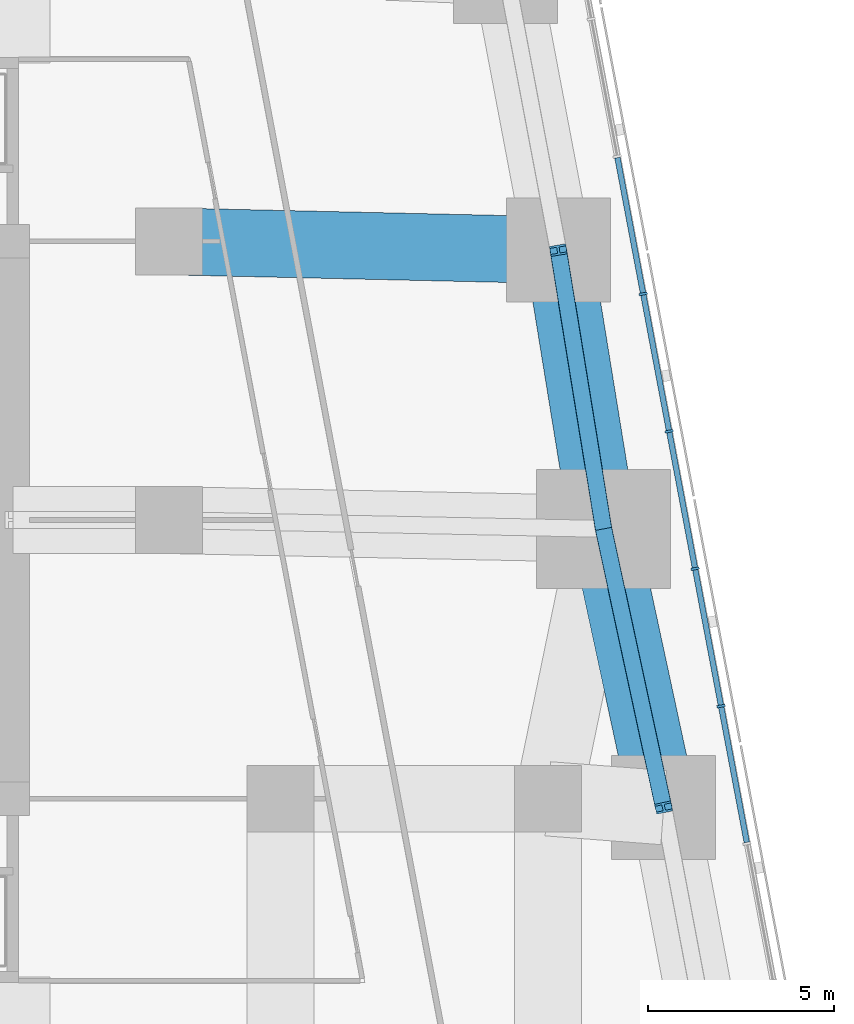
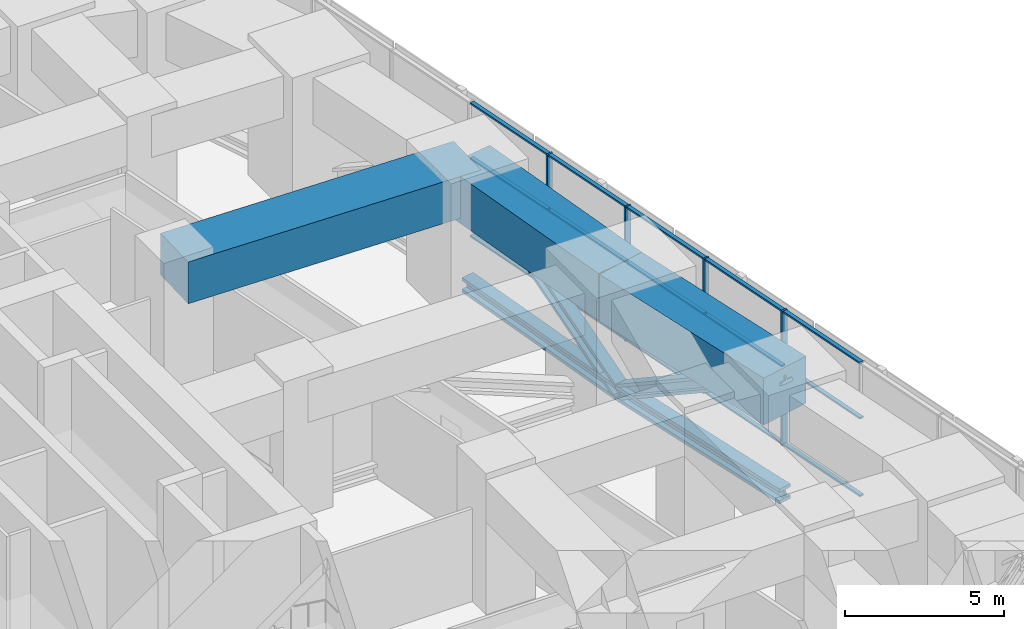
# One storey, part 6 of 20: 23 members, 3 beams, 1 element without a shape of its own.
"""IFC4 building model written with IfcOpenShell, lengths in metres."""

from ifc_helpers import new_model, si_unit, direction, frame, origin, origin_2d, place, context, subcontext, project, spatial, rectangle, i_section, extrude, material, material_profile, profile_set, type_object, element, aggregate, save


model = new_model("IFC4")

# Units and contexts
model_context = context("Model", 3, precision=1e-05, world=origin(), true_north=direction((0.0, 1.0)))
body_context = subcontext(model_context, "Body", "Model", "MODEL_VIEW")
ifc_project = project(units=[si_unit("LENGTHUNIT", "METRE"), si_unit("AREAUNIT", "SQUARE_METRE"), si_unit("VOLUMEUNIT", "CUBIC_METRE"), si_unit("PLANEANGLEUNIT", "RADIAN"), si_unit("MASSUNIT", "GRAM", prefix="KILO")], contexts=[model_context])

# Site, building, storey
site_placement = place(None, origin())
site = spatial("IfcSite", under=ifc_project, at=site_placement, CompositionType="ELEMENT")
building_placement = place(site_placement, origin())
building = spatial("IfcBuilding", under=site, at=building_placement, Name="Sheger Commons Tower", CompositionType="ELEMENT")
storey_placement = place(building_placement, frame((0.0, 0.0, 72.5)))
storey = spatial("IfcBuildingStorey", under=building, at=storey_placement, Name="L18", CompositionType="ELEMENT", Elevation=72.5)

# Beam
ifc_material_1 = material(Name="Concrete C50/60", Category="concrete")
ifc_material_profile_1 = material_profile(ifc_material_1, rectangle(XDim=1.800048828125, YDim=1.60009765625, at=origin_2d()), Name="RC 1800x1600")
ifc_profile_set_1 = profile_set([ifc_material_profile_1], Name="Concrete C50/60")
beam_type_1 = type_object("IfcBeamType", Name="BEAM RC 1800x1600", PredefinedType="BEAM", material=ifc_profile_set_1)
beam_1_placement = place(storey_placement, frame((33.0, 30.0, 4.35009765625), z_axis=(0.999744258625, -0.022614538395, 0.0), x_axis=(0.022614538395, 0.999744258625, 0.0)))
element("IfcBeam", 1, at=beam_1_placement, inside=storey, type_object=beam_type_1, Name="Beam 6-3000/E-E/E under L19", PredefinedType="BEAM", context=body_context, shape_type="SweptSolid", body=[
    extrude(rectangle(XDim=1.800048828125, YDim=1.60009765625, at=origin_2d()), origin(), (0.0, 0.0, 1.0), 10.482666015625),
])

# Members
ifc_material_2 = material(Name="Steel S460", Category="steel")
ifc_material_profile_2 = material_profile(ifc_material_2, i_section(OverallWidth=0.44189453125, OverallDepth=0.531005859375, WebThickness=0.06591796875, FlangeThickness=0.10595703125, at=origin_2d()), Name="HD 400x900")
ifc_profile_set_2 = profile_set([ifc_material_profile_2], Name="Steel S460")
member_type_1 = type_object("IfcMemberType", Name="BRACE HD 400x900", PredefinedType="BRACE", material=ifc_profile_set_2)
member_1_placement = place(storey_placement, frame((44.697021484375, 22.262939453125, 0.300048828125), z_axis=(0.181270480805, -0.840801626201, 0.510091793864), x_axis=(0.977539943348, 0.210750229323, 0.0)))
element("IfcMember", 2, at=member_1_placement, inside=storey, type_object=member_type_1, Name="Belt truss diagonal 46.314,14.763-44.697,22.263", PredefinedType="BRACE", context=body_context, shape_type="SweptSolid", body=[
    extrude(i_section(OverallWidth=0.44189453125, OverallDepth=0.531005859375, WebThickness=0.06591796875, FlangeThickness=0.10595703125, at=origin_2d()), origin(), (0.0, 0.0, 1.0), 8.920166015625),
])
member_2_placement = place(storey_placement, frame((44.697021484375, 22.262939453125, 0.300048828125), z_axis=(-0.137420860624, 0.846854330663, 0.51376380731), x_axis=(-0.987088319884, -0.160176929512, 0.0)))
element("IfcMember", 3, at=member_2_placement, inside=storey, type_object=member_type_1, Name="Belt truss diagonal 44.697,22.263-43.480,29.763", PredefinedType="BRACE", context=body_context, shape_type="SweptSolid", body=[
    extrude(i_section(OverallWidth=0.44189453125, OverallDepth=0.531005859375, WebThickness=0.06591796875, FlangeThickness=0.10595703125, at=origin_2d()), origin(), (0.0, 0.0, 1.0), 8.856201171875),
])
ifc_material_3 = material(Name="Steel S460", Category="steel")
ifc_material_profile_3 = material_profile(ifc_material_3, i_section(OverallWidth=0.4541015625, OverallDepth=0.569091796875, WebThickness=0.077880859375, FlangeThickness=0.125, at=origin_2d()), Name="HD 400x1086")
ifc_profile_set_3 = profile_set([ifc_material_profile_3], Name="Steel S460")
member_type_2 = type_object("IfcMemberType", Name="CHORD HD 400x1086", PredefinedType="CHORD", material=ifc_profile_set_3)
member_3_placement = place(storey_placement, frame((46.31396484375, 14.762939453125, 0.300048828125), z_axis=(-0.210750229323, 0.977539943348, 0.0), x_axis=(-0.977539943348, -0.210750229323, 0.0)))
element("IfcMember", 4, at=member_3_placement, inside=storey, type_object=member_type_2, Name="Belt truss bottom chord 46.314,14.763-44.697,22.263", PredefinedType="CHORD", context=body_context, shape_type="SweptSolid", body=[
    extrude(i_section(OverallWidth=0.4541015625, OverallDepth=0.569091796875, WebThickness=0.077880859375, FlangeThickness=0.125, at=origin_2d()), origin(), (0.0, 0.0, 1.0), 7.67236328125),
])
member_4_placement = place(storey_placement, frame((44.697021484375, 22.262939453125, 0.300048828125), z_axis=(-0.160176929512, 0.987088319884, 0.0), x_axis=(-0.987088319884, -0.160176929512, 0.0)))
element("IfcMember", 5, at=member_4_placement, inside=storey, type_object=member_type_2, Name="Belt truss bottom chord 44.697,22.263-43.480,29.763", PredefinedType="CHORD", context=body_context, shape_type="SweptSolid", body=[
    extrude(i_section(OverallWidth=0.4541015625, OverallDepth=0.569091796875, WebThickness=0.077880859375, FlangeThickness=0.125, at=origin_2d()), origin(), (0.0, 0.0, 1.0), 7.59814453125),
])

# Curtain wall, members
ifc_material_4 = material(Name="Black aluminium curtain wall, dark tinted glazing", Category="aluminium")
curtain_wall_type = type_object("IfcCurtainWallType", Name="CURTAIN WALL CW3 SKY FLOOR", PredefinedType="USERDEFINED", material=ifc_material_4)
curtain_wall_placement = place(storey_placement, origin())
curtain_wall = element("IfcCurtainWall", 6, at=curtain_wall_placement, inside=storey, type_object=curtain_wall_type, Name="Curtain Wall Cw3 Sky Floor E1 L18", ObjectType="UNITISED CURTAIN WALL", PredefinedType="USERDEFINED")
ifc_material_5 = material(Name="Black anodised aluminium", Category="aluminium")
ifc_material_profile_4 = material_profile(ifc_material_5, rectangle(XDim=0.22509765625, YDim=0.06494140625, at=origin_2d()), Name="AL 65x225")
ifc_profile_set_4 = profile_set([ifc_material_profile_4], Name="Black anodised aluminium")
member_type_3 = type_object("IfcMemberType", Name="MULLION AL 65x225", PredefinedType="MULLION", material=ifc_profile_set_4)
member_5_placement = place(storey_placement, frame((47.859130859375, 17.49365234375, 0.0), z_axis=(0.0, 0.0, 1.0), x_axis=(-0.982623514181, -0.185609884918, 0.0)))
member_5 = element("IfcMember", 7, at=member_5_placement, type_object=member_type_3, Name="CW3 mullion 5", PredefinedType="MULLION", context=body_context, shape_type="SweptSolid", body=[
    extrude(rectangle(XDim=0.22509765625, YDim=0.06494140625, at=origin_2d()), origin(), (0.0, 0.0, 1.0), 5.14990234375),
])
member_6_placement = place(storey_placement, frame((47.16064453125, 21.191162109375, 0.0), z_axis=(0.0, 0.0, 1.0), x_axis=(-0.982623514181, -0.185609884918, 0.0)))
member_6 = element("IfcMember", 8, at=member_6_placement, type_object=member_type_3, Name="CW3 mullion 6", PredefinedType="MULLION", context=body_context, shape_type="SweptSolid", body=[
    extrude(rectangle(XDim=0.22509765625, YDim=0.06494140625, at=origin_2d()), origin(), (0.0, 0.0, 1.0), 5.14990234375),
])
member_7_placement = place(storey_placement, frame((46.462158203125, 24.888916015625, 0.0), z_axis=(0.0, 0.0, 1.0), x_axis=(-0.982623514181, -0.185609884918, 0.0)))
member_7 = element("IfcMember", 9, at=member_7_placement, type_object=member_type_3, Name="CW3 mullion 7", PredefinedType="MULLION", context=body_context, shape_type="SweptSolid", body=[
    extrude(rectangle(XDim=0.22509765625, YDim=0.06494140625, at=origin_2d()), origin(), (0.0, 0.0, 1.0), 5.14990234375),
])
member_8_placement = place(storey_placement, frame((45.763916015625, 28.58642578125, 0.0), z_axis=(0.0, 0.0, 1.0), x_axis=(-0.982623514181, -0.185609884918, 0.0)))
member_8 = element("IfcMember", 10, at=member_8_placement, type_object=member_type_3, Name="CW3 mullion 8", PredefinedType="MULLION", context=body_context, shape_type="SweptSolid", body=[
    extrude(rectangle(XDim=0.22509765625, YDim=0.06494140625, at=origin_2d()), origin(), (0.0, 0.0, 1.0), 5.14990234375),
])

# Beams
ifc_material_6 = material(Name="Concrete C50/60", Category="concrete")
ifc_material_profile_5 = material_profile(ifc_material_6, rectangle(XDim=1.800048828125, YDim=1.800048828125, at=origin_2d()), Name="RC 1800x1800")
ifc_profile_set_5 = profile_set([ifc_material_profile_5], Name="Concrete C50/60")
beam_type_2 = type_object("IfcBeamType", Name="SPANDREL RC 1800x1800", PredefinedType="SPANDREL", material=ifc_profile_set_5)
beam_2_placement = place(storey_placement, frame((46.31396484375, 14.762939453125, 4.25), z_axis=(-0.210750229323, 0.977539943348, 0.0), x_axis=(-0.977539943348, -0.210750229323, 0.0)))
element("IfcBeam", 11, at=beam_2_placement, inside=storey, type_object=beam_type_2, Name="Beam E/C-E/D under L19", PredefinedType="SPANDREL", context=body_context, shape_type="SweptSolid", body=[
    extrude(rectangle(XDim=1.800048828125, YDim=1.800048828125, at=origin_2d()), origin(), (0.0, 0.0, 1.0), 7.67236328125),
])
beam_3_placement = place(storey_placement, frame((44.697021484375, 22.262939453125, 4.25), z_axis=(-0.160176929512, 0.987088319884, 0.0), x_axis=(-0.987088319884, -0.160176929512, 0.0)))
element("IfcBeam", 12, at=beam_3_placement, inside=storey, type_object=beam_type_2, Name="Beam E/D-E/E under L19", PredefinedType="SPANDREL", context=body_context, shape_type="SweptSolid", body=[
    extrude(rectangle(XDim=1.800048828125, YDim=1.800048828125, at=origin_2d()), origin(), (0.0, 0.0, 1.0), 7.59814453125),
])

# Member
ifc_material_7 = material(Name="Black anodised aluminium", Category="aluminium")
ifc_material_profile_6 = material_profile(ifc_material_7, rectangle(XDim=0.14990234375, YDim=0.06494140625, at=origin_2d()), Name="AL 65x150")
ifc_profile_set_6 = profile_set([ifc_material_profile_6], Name="Black anodised aluminium")
member_type_4 = type_object("IfcMemberType", Name="TRANSOM AL 65x150", PredefinedType="USERDEFINED", material=ifc_profile_set_6)
member_9_placement = place(storey_placement, frame((48.551513671875, 13.827880859375, 0.032470703125), z_axis=(-0.185579860214, 0.982629185137, 0.0), x_axis=(-0.982629185137, -0.185579860214, 0.0)))
member_9 = element("IfcMember", 13, at=member_9_placement, type_object=member_type_4, Name="CW3 transom 4.1", ObjectType="TRANSOM", PredefinedType="USERDEFINED", context=body_context, shape_type="SweptSolid", body=[
    extrude(rectangle(XDim=0.14990234375, YDim=0.06494140625, at=origin_2d()), origin(), (0.0, 0.0, 1.0), 3.697998046875),
])

member_10_placement = place(storey_placement, frame((48.551513671875, 13.827880859375, 3.0), z_axis=(-0.185579860214, 0.982629185137, 0.0), x_axis=(-0.982629185137, -0.185579860214, 0.0)))
member_10 = element("IfcMember", 14, at=member_10_placement, type_object=member_type_4, Name="CW3 transom 4.2", ObjectType="TRANSOM", PredefinedType="USERDEFINED", context=body_context, shape_type="SweptSolid", body=[
    extrude(rectangle(XDim=0.14990234375, YDim=0.06494140625, at=origin_2d()), origin(), (0.0, 0.0, 1.0), 3.697998046875),
])

member_11_placement = place(storey_placement, frame((48.551513671875, 13.827880859375, 5.117431640625), z_axis=(-0.185579860214, 0.982629185137, 0.0), x_axis=(-0.982629185137, -0.185579860214, 0.0)))
member_11 = element("IfcMember", 15, at=member_11_placement, type_object=member_type_4, Name="CW3 transom 4.3", ObjectType="TRANSOM", PredefinedType="USERDEFINED", context=body_context, shape_type="SweptSolid", body=[
    extrude(rectangle(XDim=0.14990234375, YDim=0.06494140625, at=origin_2d()), origin(), (0.0, 0.0, 1.0), 3.697998046875),
])

member_12_placement = place(storey_placement, frame((47.853271484375, 17.525390625, 0.032470703125), z_axis=(-0.18564360451, 0.982617144215, 0.0), x_axis=(-0.982617144215, -0.18564360451, 0.0)))
member_12 = element("IfcMember", 16, at=member_12_placement, type_object=member_type_4, Name="CW3 transom 5.1", ObjectType="TRANSOM", PredefinedType="USERDEFINED", context=body_context, shape_type="SweptSolid", body=[
    extrude(rectangle(XDim=0.14990234375, YDim=0.06494140625, at=origin_2d()), origin(), (0.0, 0.0, 1.0), 3.697998046875),
])

member_13_placement = place(storey_placement, frame((47.853271484375, 17.525390625, 3.0), z_axis=(-0.18564360451, 0.982617144215, 0.0), x_axis=(-0.982617144215, -0.18564360451, 0.0)))
member_13 = element("IfcMember", 17, at=member_13_placement, type_object=member_type_4, Name="CW3 transom 5.2", ObjectType="TRANSOM", PredefinedType="USERDEFINED", context=body_context, shape_type="SweptSolid", body=[
    extrude(rectangle(XDim=0.14990234375, YDim=0.06494140625, at=origin_2d()), origin(), (0.0, 0.0, 1.0), 3.697998046875),
])

member_14_placement = place(storey_placement, frame((47.853271484375, 17.525390625, 5.117431640625), z_axis=(-0.18564360451, 0.982617144215, 0.0), x_axis=(-0.982617144215, -0.18564360451, 0.0)))
member_14 = element("IfcMember", 18, at=member_14_placement, type_object=member_type_4, Name="CW3 transom 5.3", ObjectType="TRANSOM", PredefinedType="USERDEFINED", context=body_context, shape_type="SweptSolid", body=[
    extrude(rectangle(XDim=0.14990234375, YDim=0.06494140625, at=origin_2d()), origin(), (0.0, 0.0, 1.0), 3.697998046875),
])

member_15_placement = place(storey_placement, frame((47.15478515625, 21.22314453125, 0.032470703125), z_axis=(-0.18564360451, 0.982617144215, 0.0), x_axis=(-0.982617144215, -0.18564360451, 0.0)))
member_15 = element("IfcMember", 19, at=member_15_placement, type_object=member_type_4, Name="CW3 transom 6.1", ObjectType="TRANSOM", PredefinedType="USERDEFINED", context=body_context, shape_type="SweptSolid", body=[
    extrude(rectangle(XDim=0.14990234375, YDim=0.06494140625, at=origin_2d()), origin(), (0.0, 0.0, 1.0), 3.697998046875),
])

member_16_placement = place(storey_placement, frame((47.15478515625, 21.22314453125, 3.0), z_axis=(-0.18564360451, 0.982617144215, 0.0), x_axis=(-0.982617144215, -0.18564360451, 0.0)))
member_16 = element("IfcMember", 20, at=member_16_placement, type_object=member_type_4, Name="CW3 transom 6.2", ObjectType="TRANSOM", PredefinedType="USERDEFINED", context=body_context, shape_type="SweptSolid", body=[
    extrude(rectangle(XDim=0.14990234375, YDim=0.06494140625, at=origin_2d()), origin(), (0.0, 0.0, 1.0), 3.697998046875),
])

member_17_placement = place(storey_placement, frame((47.15478515625, 21.22314453125, 5.117431640625), z_axis=(-0.18564360451, 0.982617144215, 0.0), x_axis=(-0.982617144215, -0.18564360451, 0.0)))
member_17 = element("IfcMember", 21, at=member_17_placement, type_object=member_type_4, Name="CW3 transom 6.3", ObjectType="TRANSOM", PredefinedType="USERDEFINED", context=body_context, shape_type="SweptSolid", body=[
    extrude(rectangle(XDim=0.14990234375, YDim=0.06494140625, at=origin_2d()), origin(), (0.0, 0.0, 1.0), 3.697998046875),
])

member_18_placement = place(storey_placement, frame((46.456298828125, 24.920654296875, 0.032470703125), z_axis=(-0.18564360451, 0.982617144215, 0.0), x_axis=(-0.982617144215, -0.18564360451, 0.0)))
member_18 = element("IfcMember", 22, at=member_18_placement, type_object=member_type_4, Name="CW3 transom 7.1", ObjectType="TRANSOM", PredefinedType="USERDEFINED", context=body_context, shape_type="SweptSolid", body=[
    extrude(rectangle(XDim=0.14990234375, YDim=0.06494140625, at=origin_2d()), origin(), (0.0, 0.0, 1.0), 3.697998046875),
])

member_19_placement = place(storey_placement, frame((46.456298828125, 24.920654296875, 3.0), z_axis=(-0.18564360451, 0.982617144215, 0.0), x_axis=(-0.982617144215, -0.18564360451, 0.0)))
member_19 = element("IfcMember", 23, at=member_19_placement, type_object=member_type_4, Name="CW3 transom 7.2", ObjectType="TRANSOM", PredefinedType="USERDEFINED", context=body_context, shape_type="SweptSolid", body=[
    extrude(rectangle(XDim=0.14990234375, YDim=0.06494140625, at=origin_2d()), origin(), (0.0, 0.0, 1.0), 3.697998046875),
])

member_20_placement = place(storey_placement, frame((46.456298828125, 24.920654296875, 5.117431640625), z_axis=(-0.18564360451, 0.982617144215, 0.0), x_axis=(-0.982617144215, -0.18564360451, 0.0)))
member_20 = element("IfcMember", 24, at=member_20_placement, type_object=member_type_4, Name="CW3 transom 7.3", ObjectType="TRANSOM", PredefinedType="USERDEFINED", context=body_context, shape_type="SweptSolid", body=[
    extrude(rectangle(XDim=0.14990234375, YDim=0.06494140625, at=origin_2d()), origin(), (0.0, 0.0, 1.0), 3.697998046875),
])

member_21_placement = place(storey_placement, frame((45.7578125, 28.618408203125, 0.032470703125), z_axis=(-0.18564360451, 0.982617144215, 0.0), x_axis=(-0.982617144215, -0.18564360451, 0.0)))
member_21 = element("IfcMember", 25, at=member_21_placement, type_object=member_type_4, Name="CW3 transom 8.1", ObjectType="TRANSOM", PredefinedType="USERDEFINED", context=body_context, shape_type="SweptSolid", body=[
    extrude(rectangle(XDim=0.14990234375, YDim=0.06494140625, at=origin_2d()), origin(), (0.0, 0.0, 1.0), 3.697998046875),
])

member_22_placement = place(storey_placement, frame((45.7578125, 28.618408203125, 3.0), z_axis=(-0.18564360451, 0.982617144215, 0.0), x_axis=(-0.982617144215, -0.18564360451, 0.0)))
member_22 = element("IfcMember", 26, at=member_22_placement, type_object=member_type_4, Name="CW3 transom 8.2", ObjectType="TRANSOM", PredefinedType="USERDEFINED", context=body_context, shape_type="SweptSolid", body=[
    extrude(rectangle(XDim=0.14990234375, YDim=0.06494140625, at=origin_2d()), origin(), (0.0, 0.0, 1.0), 3.697998046875),
])

member_23_placement = place(storey_placement, frame((45.7578125, 28.618408203125, 5.117431640625), z_axis=(-0.18564360451, 0.982617144215, 0.0), x_axis=(-0.982617144215, -0.18564360451, 0.0)))
member_23 = element("IfcMember", 27, at=member_23_placement, type_object=member_type_4, Name="CW3 transom 8.3", ObjectType="TRANSOM", PredefinedType="USERDEFINED", context=body_context, shape_type="SweptSolid", body=[
    extrude(rectangle(XDim=0.14990234375, YDim=0.06494140625, at=origin_2d()), origin(), (0.0, 0.0, 1.0), 3.697998046875),
])

aggregate(curtain_wall, [member_5, member_6, member_7, member_8, member_9, member_10, member_11, member_12, member_13, member_14, member_15, member_16, member_17, member_18, member_19, member_20, member_21, member_22, member_23])

save(model, "model.ifc")
